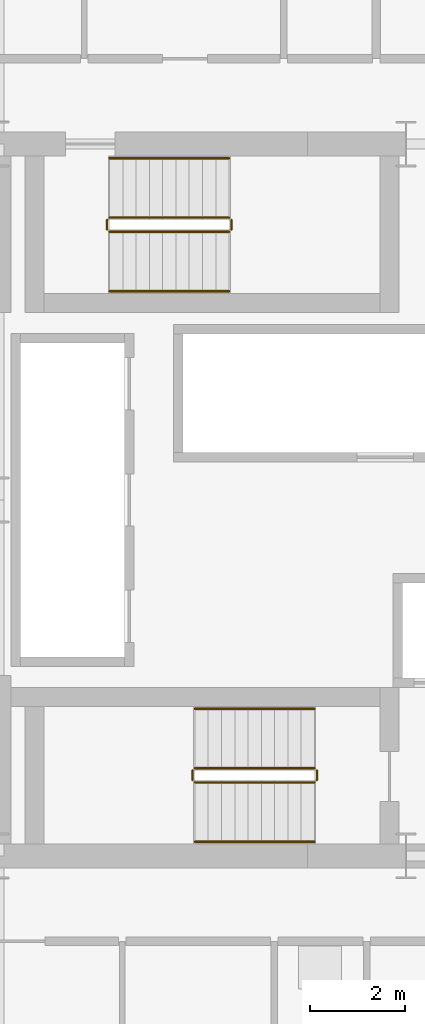
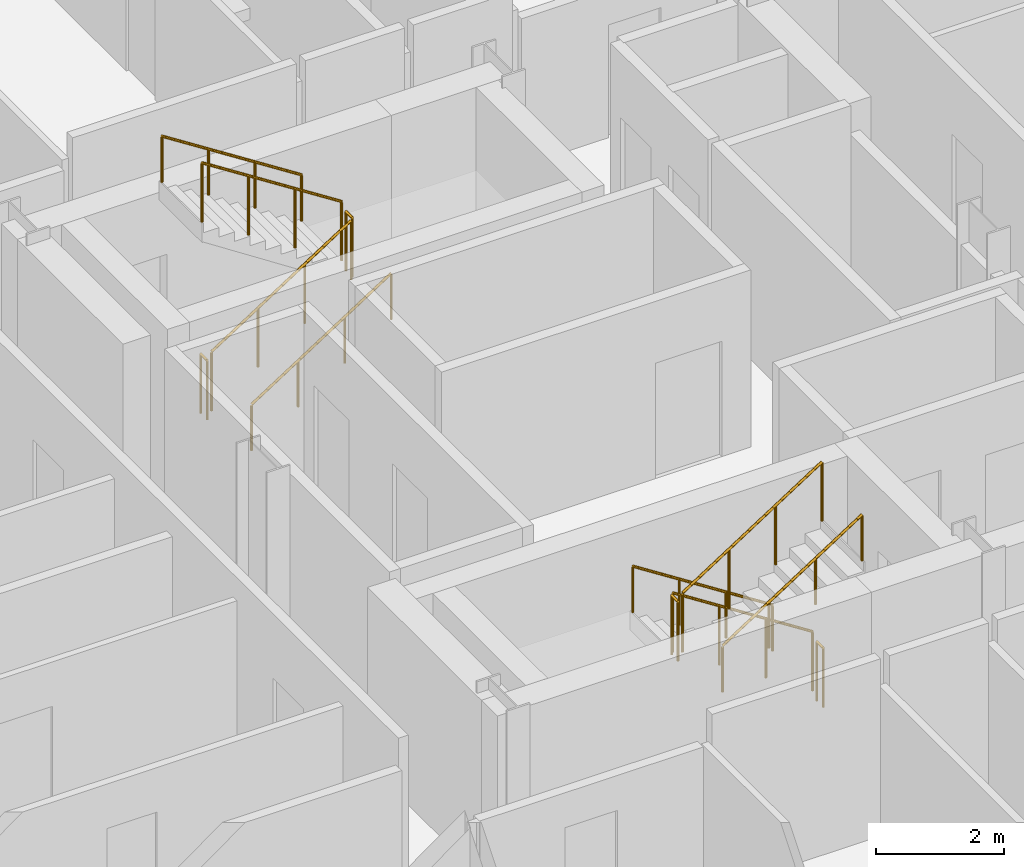
# One storey, part 23 of 24: 12 railings.
"""IFC4 building model written with IfcOpenShell, lengths in metres."""

from ifc_helpers import new_model, si_unit, direction, frame, origin, origin_2d, place, context, subcontext, project, spatial, circle, extrude, material, type_object, element, save


model = new_model("IFC4")

# Units and contexts
model_context = context("Model", 3, precision=1e-05, world=origin(), true_north=direction((0.0, 1.0)))
body_context = subcontext(model_context, "Body", "Model", "MODEL_VIEW")
ifc_project = project(units=[si_unit("LENGTHUNIT", "METRE"), si_unit("AREAUNIT", "SQUARE_METRE"), si_unit("VOLUMEUNIT", "CUBIC_METRE"), si_unit("PLANEANGLEUNIT", "RADIAN"), si_unit("MASSUNIT", "GRAM", prefix="KILO")], contexts=[model_context])

# Site, building, storey
site_placement = place(None, origin())
site = spatial("IfcSite", under=ifc_project, at=site_placement, CompositionType="ELEMENT")
building_placement = place(site_placement, origin())
building = spatial("IfcBuilding", under=site, at=building_placement, Name="Barlavira Tower and Art Museum", CompositionType="ELEMENT")
storey_placement = place(building_placement, frame((0.0, 0.0, 32.39990234375)))
storey = spatial("IfcBuildingStorey", under=building, at=storey_placement, Name="L06", CompositionType="ELEMENT", Elevation=32.39990234375)

# Railings
ifc_material = material(Name="Brushed stainless steel", Category="steel")
railing_type_1 = type_object("IfcRailingType", Name="Interior Void and Landing Guard Railing 1150", PredefinedType="GUARDRAIL", material=ifc_material)
railing_1_placement = place(storey_placement, frame((0.14990234375, -5.64990234375, 0.18017578125)))
element("IfcRailing", 1, at=railing_1_placement, inside=storey, type_object=railing_type_1, Name="L06 ST-T1 stair guard 1", PredefinedType="GUARDRAIL", context=body_context, shape_type="SweptSolid", body=[
    extrude(circle(Radius=0.02392578125, at=origin_2d()), frame((0.0, 0.0, 1.1259765625), z_axis=(-0.841199657755, 0.0, 0.540724639528), x_axis=(0.0, -1.0, 0.0)), (0.0, 0.0, 1.0), 2.995849609375),
    extrude(circle(Radius=0.02099609375, at=origin_2d()), origin(), (0.0, 0.0, 1.0), 1.101806640625),
    extrude(circle(Radius=0.02099609375, at=origin_2d()), frame((-0.840087890625, 0.0, 0.5400390625)), (0.0, 0.0, 1.0), 1.101806640625),
    extrude(circle(Radius=0.02099609375, at=origin_2d()), frame((-1.679931640625, 0.0, 1.079833984375)), (0.0, 0.0, 1.0), 1.101806640625),
    extrude(circle(Radius=0.02099609375, at=origin_2d()), frame((-2.52001953125, 0.0, 1.619873046875)), (0.0, 0.0, 1.0), 1.101806640625),
])
railing_2_placement = place(storey_placement, frame((-2.419921875, -5.699951171875, 1.800048828125)))
element("IfcRailing", 2, at=railing_2_placement, inside=storey, type_object=railing_type_1, Name="L06 ST-T1 stair guard 2", PredefinedType="GUARDRAIL", context=body_context, shape_type="SweptSolid", body=[
    extrude(circle(Radius=0.02392578125, at=origin_2d()), frame((0.0, 0.0, 1.1259765625), z_axis=(0.0, -1.0, 0.0), x_axis=(1.0, 0.0, 0.0)), (0.0, 0.0, 1.0), 0.199951171875),
    extrude(circle(Radius=0.02099609375, at=origin_2d()), origin(), (0.0, 0.0, 1.0), 1.101806640625),
    extrude(circle(Radius=0.02099609375, at=origin_2d()), frame((0.0, -0.199951171875, 0.0)), (0.0, 0.0, 1.0), 1.101806640625),
])
railing_3_placement = place(storey_placement, frame((-2.3701171875, -5.949951171875, 1.97998046875)))
element("IfcRailing", 3, at=railing_3_placement, inside=storey, type_object=railing_type_1, Name="L06 ST-T1 stair guard 3", PredefinedType="GUARDRAIL", context=body_context, shape_type="SweptSolid", body=[
    extrude(circle(Radius=0.02392578125, at=origin_2d()), frame((0.0, 0.0, 1.1259765625), z_axis=(0.841162588446, 0.0, 0.540782303519), x_axis=(0.0, 1.0, 0.0)), (0.0, 0.0, 1.0), 2.995849609375),
    extrude(circle(Radius=0.02099609375, at=origin_2d()), origin(), (0.0, 0.0, 1.0), 1.101806640625),
    extrude(circle(Radius=0.02099609375, at=origin_2d()), frame((0.840087890625, 0.0, 0.5400390625)), (0.0, 0.0, 1.0), 1.101806640625),
    extrude(circle(Radius=0.02099609375, at=origin_2d()), frame((1.679931640625, 0.0, 1.080078125)), (0.0, 0.0, 1.0), 1.101806640625),
    extrude(circle(Radius=0.02099609375, at=origin_2d()), frame((2.52001953125, 0.0, 1.6201171875)), (0.0, 0.0, 1.0), 1.101806640625),
])
railing_4_placement = place(storey_placement, frame((0.199951171875, -5.699951171875, 0.0)))
element("IfcRailing", 4, at=railing_4_placement, inside=storey, type_object=railing_type_1, Name="L06 ST-T1 stair guard 4", PredefinedType="GUARDRAIL", context=body_context, shape_type="SweptSolid", body=[
    extrude(circle(Radius=0.02392578125, at=origin_2d()), frame((0.0, 0.0, 1.1259765625), z_axis=(0.0, -1.0, 0.0), x_axis=(1.0, 0.0, 0.0)), (0.0, 0.0, 1.0), 0.199951171875),
    extrude(circle(Radius=0.02099609375, at=origin_2d()), origin(), (0.0, 0.0, 1.0), 1.101806640625),
    extrude(circle(Radius=0.02099609375, at=origin_2d()), frame((0.0, -0.199951171875, 0.0)), (0.0, 0.0, 1.0), 1.101806640625),
])
railing_5_placement = place(storey_placement, frame((-4.169921875, 5.64990234375, 0.18017578125)))
element("IfcRailing", 5, at=railing_5_placement, inside=storey, type_object=railing_type_1, Name="L06 ST-T2 stair guard 1", PredefinedType="GUARDRAIL", context=body_context, shape_type="SweptSolid", body=[
    extrude(circle(Radius=0.02392578125, at=origin_2d()), frame((0.0, 0.0, 1.1259765625), z_axis=(0.841199657755, 0.0, 0.540724639528), x_axis=(0.0, 1.0, 0.0)), (0.0, 0.0, 1.0), 2.995849609375),
    extrude(circle(Radius=0.02099609375, at=origin_2d()), origin(), (0.0, 0.0, 1.0), 1.101806640625),
    extrude(circle(Radius=0.02099609375, at=origin_2d()), frame((0.840087890625, 0.0, 0.5400390625)), (0.0, 0.0, 1.0), 1.101806640625),
    extrude(circle(Radius=0.02099609375, at=origin_2d()), frame((1.679931640625, 0.0, 1.079833984375)), (0.0, 0.0, 1.0), 1.101806640625),
    extrude(circle(Radius=0.02099609375, at=origin_2d()), frame((2.52001953125, 0.0, 1.619873046875)), (0.0, 0.0, 1.0), 1.101806640625),
])
railing_6_placement = place(storey_placement, frame((-1.60009765625, 5.699951171875, 1.800048828125)))
element("IfcRailing", 6, at=railing_6_placement, inside=storey, type_object=railing_type_1, Name="L06 ST-T2 stair guard 2", PredefinedType="GUARDRAIL", context=body_context, shape_type="SweptSolid", body=[
    extrude(circle(Radius=0.02392578125, at=origin_2d()), frame((0.0, 0.0, 1.1259765625), z_axis=(0.0, 1.0, 0.0), x_axis=(-1.0, 0.0, 0.0)), (0.0, 0.0, 1.0), 0.199951171875),
    extrude(circle(Radius=0.02099609375, at=origin_2d()), origin(), (0.0, 0.0, 1.0), 1.101806640625),
    extrude(circle(Radius=0.02099609375, at=origin_2d()), frame((0.0, 0.199951171875, 0.0)), (0.0, 0.0, 1.0), 1.101806640625),
])
railing_7_placement = place(storey_placement, frame((-1.64990234375, 5.949951171875, 1.97998046875)))
element("IfcRailing", 7, at=railing_7_placement, inside=storey, type_object=railing_type_1, Name="L06 ST-T2 stair guard 3", PredefinedType="GUARDRAIL", context=body_context, shape_type="SweptSolid", body=[
    extrude(circle(Radius=0.02392578125, at=origin_2d()), frame((0.0, 0.0, 1.1259765625), z_axis=(-0.841162588446, 0.0, 0.540782303519), x_axis=(0.0, -1.0, 0.0)), (0.0, 0.0, 1.0), 2.995849609375),
    extrude(circle(Radius=0.02099609375, at=origin_2d()), origin(), (0.0, 0.0, 1.0), 1.101806640625),
    extrude(circle(Radius=0.02099609375, at=origin_2d()), frame((-0.840087890625, 0.0, 0.5400390625)), (0.0, 0.0, 1.0), 1.101806640625),
    extrude(circle(Radius=0.02099609375, at=origin_2d()), frame((-1.679931640625, 0.0, 1.080078125)), (0.0, 0.0, 1.0), 1.101806640625),
    extrude(circle(Radius=0.02099609375, at=origin_2d()), frame((-2.52001953125, 0.0, 1.6201171875)), (0.0, 0.0, 1.0), 1.101806640625),
])
railing_8_placement = place(storey_placement, frame((-4.219970703125, 5.699951171875, 0.0)))
element("IfcRailing", 8, at=railing_8_placement, inside=storey, type_object=railing_type_1, Name="L06 ST-T2 stair guard 4", PredefinedType="GUARDRAIL", context=body_context, shape_type="SweptSolid", body=[
    extrude(circle(Radius=0.02392578125, at=origin_2d()), frame((0.0, 0.0, 1.1259765625), z_axis=(0.0, 1.0, 0.0), x_axis=(-1.0, 0.0, 0.0)), (0.0, 0.0, 1.0), 0.199951171875),
    extrude(circle(Radius=0.02099609375, at=origin_2d()), origin(), (0.0, 0.0, 1.0), 1.101806640625),
    extrude(circle(Radius=0.02099609375, at=origin_2d()), frame((0.0, 0.199951171875, 0.0)), (0.0, 0.0, 1.0), 1.101806640625),
])
railing_type_2 = type_object("IfcRailingType", Name="Stair Pitch Tubular Steel Handrail 920", PredefinedType="HANDRAIL", material=ifc_material)
railing_9_placement = place(storey_placement, frame((0.14990234375, -4.39990234375, 0.18017578125)))
element("IfcRailing", 9, at=railing_9_placement, inside=storey, type_object=railing_type_2, Name="L06 ST-T1 stair handrail 1", PredefinedType="HANDRAIL", context=body_context, shape_type="SweptSolid", body=[
    extrude(circle(Radius=0.02392578125, at=origin_2d()), frame((0.0, 0.0, 0.8759765625), z_axis=(-0.841199657755, 0.0, 0.540724639528), x_axis=(0.0, -1.0, 0.0)), (0.0, 0.0, 1.0), 2.995849609375),
    extrude(circle(Radius=0.02099609375, at=origin_2d()), origin(), (0.0, 0.0, 1.0), 0.851806640625),
    extrude(circle(Radius=0.02099609375, at=origin_2d()), frame((-0.840087890625, 0.0, 0.5400390625)), (0.0, 0.0, 1.0), 0.851806640625),
    extrude(circle(Radius=0.02099609375, at=origin_2d()), frame((-1.679931640625, 0.0, 1.079833984375)), (0.0, 0.0, 1.0), 0.851806640625),
    extrude(circle(Radius=0.02099609375, at=origin_2d()), frame((-2.52001953125, 0.0, 1.619873046875)), (0.0, 0.0, 1.0), 0.851806640625),
])
railing_10_placement = place(storey_placement, frame((-2.3701171875, -7.199951171875, 1.97998046875)))
element("IfcRailing", 10, at=railing_10_placement, inside=storey, type_object=railing_type_2, Name="L06 ST-T1 stair handrail 2", PredefinedType="HANDRAIL", context=body_context, shape_type="SweptSolid", body=[
    extrude(circle(Radius=0.02392578125, at=origin_2d()), frame((0.0, 0.0, 0.8759765625), z_axis=(0.841162588446, 0.0, 0.540782303519), x_axis=(0.0, 1.0, 0.0)), (0.0, 0.0, 1.0), 2.995849609375),
    extrude(circle(Radius=0.02099609375, at=origin_2d()), origin(), (0.0, 0.0, 1.0), 0.851806640625),
    extrude(circle(Radius=0.02099609375, at=origin_2d()), frame((0.840087890625, 0.0, 0.5400390625)), (0.0, 0.0, 1.0), 0.851806640625),
    extrude(circle(Radius=0.02099609375, at=origin_2d()), frame((1.679931640625, 0.0, 1.080078125)), (0.0, 0.0, 1.0), 0.851806640625),
    extrude(circle(Radius=0.02099609375, at=origin_2d()), frame((2.52001953125, 0.0, 1.6201171875)), (0.0, 0.0, 1.0), 0.851806640625),
])
railing_11_placement = place(storey_placement, frame((-4.169921875, 4.39990234375, 0.18017578125)))
element("IfcRailing", 11, at=railing_11_placement, inside=storey, type_object=railing_type_2, Name="L06 ST-T2 stair handrail 1", PredefinedType="HANDRAIL", context=body_context, shape_type="SweptSolid", body=[
    extrude(circle(Radius=0.02392578125, at=origin_2d()), frame((0.0, 0.0, 0.8759765625), z_axis=(0.841199657755, 0.0, 0.540724639528), x_axis=(0.0, 1.0, 0.0)), (0.0, 0.0, 1.0), 2.995849609375),
    extrude(circle(Radius=0.02099609375, at=origin_2d()), origin(), (0.0, 0.0, 1.0), 0.851806640625),
    extrude(circle(Radius=0.02099609375, at=origin_2d()), frame((0.840087890625, 0.0, 0.5400390625)), (0.0, 0.0, 1.0), 0.851806640625),
    extrude(circle(Radius=0.02099609375, at=origin_2d()), frame((1.679931640625, 0.0, 1.079833984375)), (0.0, 0.0, 1.0), 0.851806640625),
    extrude(circle(Radius=0.02099609375, at=origin_2d()), frame((2.52001953125, 0.0, 1.619873046875)), (0.0, 0.0, 1.0), 0.851806640625),
])
railing_12_placement = place(storey_placement, frame((-1.64990234375, 7.199951171875, 1.97998046875)))
element("IfcRailing", 12, at=railing_12_placement, inside=storey, type_object=railing_type_2, Name="L06 ST-T2 stair handrail 2", PredefinedType="HANDRAIL", context=body_context, shape_type="SweptSolid", body=[
    extrude(circle(Radius=0.02392578125, at=origin_2d()), frame((0.0, 0.0, 0.8759765625), z_axis=(-0.841162588446, 0.0, 0.540782303519), x_axis=(0.0, -1.0, 0.0)), (0.0, 0.0, 1.0), 2.995849609375),
    extrude(circle(Radius=0.02099609375, at=origin_2d()), origin(), (0.0, 0.0, 1.0), 0.851806640625),
    extrude(circle(Radius=0.02099609375, at=origin_2d()), frame((-0.840087890625, 0.0, 0.5400390625)), (0.0, 0.0, 1.0), 0.851806640625),
    extrude(circle(Radius=0.02099609375, at=origin_2d()), frame((-1.679931640625, 0.0, 1.080078125)), (0.0, 0.0, 1.0), 0.851806640625),
    extrude(circle(Radius=0.02099609375, at=origin_2d()), frame((-2.52001953125, 0.0, 1.6201171875)), (0.0, 0.0, 1.0), 0.851806640625),
])

save(model, "model.ifc")
